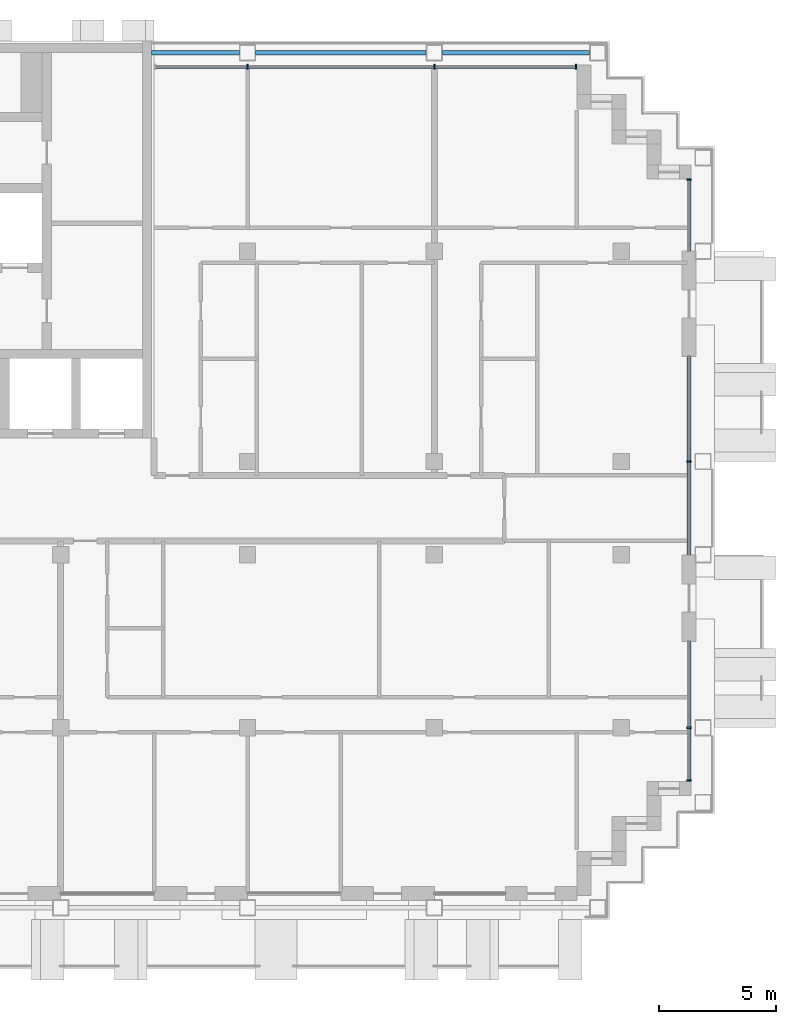
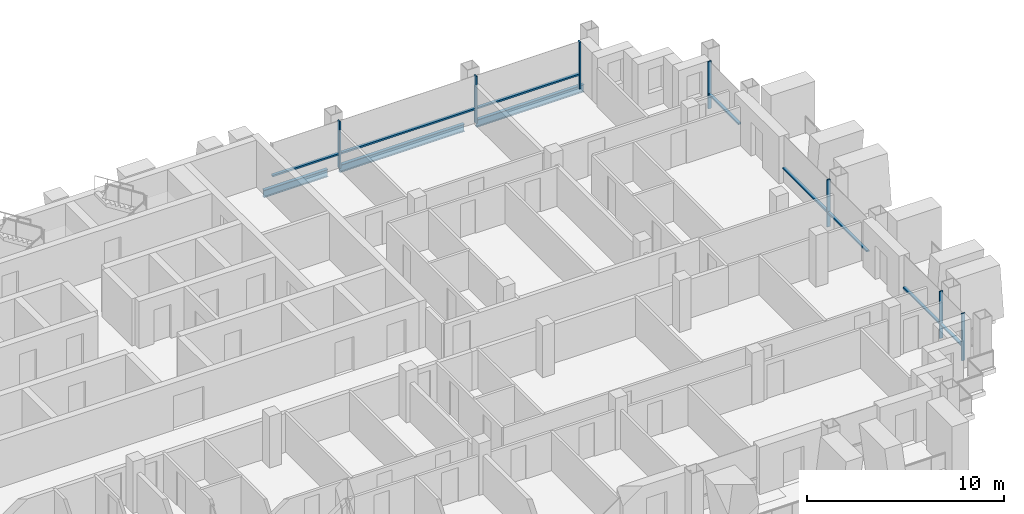
# One storey, part 5 of 16: 15 members, 3 beams, 4 elements without a shape of their own.
"""IFC4 building model written with IfcOpenShell, lengths in metres."""

from ifc_helpers import new_model, si_unit, direction, frame, origin, origin_2d, place, context, subcontext, project, spatial, rectangle, i_section, extrude, material, material_profile, profile_set, type_object, element, aggregate, save


model = new_model("IFC4")

# Units and contexts
model_context = context("Model", 3, precision=1e-05, world=origin(), true_north=direction((0.0, 1.0)))
body_context = subcontext(model_context, "Body", "Model", "MODEL_VIEW")
ifc_project = project(units=[si_unit("LENGTHUNIT", "METRE"), si_unit("AREAUNIT", "SQUARE_METRE"), si_unit("VOLUMEUNIT", "CUBIC_METRE"), si_unit("PLANEANGLEUNIT", "RADIAN"), si_unit("MASSUNIT", "GRAM", prefix="KILO")], contexts=[model_context])

# Site, building, storey
site_placement = place(None, origin())
site = spatial("IfcSite", under=ifc_project, at=site_placement, CompositionType="ELEMENT")
building_placement = place(site_placement, origin())
building = spatial("IfcBuilding", under=site, at=building_placement, Name="Vidyagriha Tower", CompositionType="ELEMENT")
storey_placement = place(building_placement, frame((0.0, 0.0, 165.300048828125)))
storey = spatial("IfcBuildingStorey", under=building, at=storey_placement, Name="L42", CompositionType="ELEMENT", Elevation=165.300048828125)

# Beams
ifc_material_1 = material(Name="Steel ASTM A992 Grade 50", Category="steel")
ifc_material_profile_1 = material_profile(ifc_material_1, i_section(OverallWidth=0.19189453125, OverallDepth=0.46240234375, WebThickness=0.010498046875, FlangeThickness=0.017578125, at=origin_2d()), Name="W18X60")
ifc_profile_set_1 = profile_set([ifc_material_profile_1], Name="Steel ASTM A992 Grade 50")
beam_type = type_object("IfcBeamType", Name="Edge beam W18X60", PredefinedType="SPANDREL", material=ifc_profile_set_1)
beam_1_placement = place(storey_placement, frame((18.35009765625, 19.5, -0.51123046875), z_axis=(1.0, 0.0, 0.0), x_axis=(0.0, 1.0, 0.0)))
element("IfcBeam", 1, at=beam_1_placement, inside=storey, type_object=beam_type, Name="st-beam-L42-NE07", PredefinedType="SPANDREL", context=body_context, shape_type="SweptSolid", body=[
    extrude(i_section(OverallWidth=0.19189453125, OverallDepth=0.46240234375, WebThickness=0.010498046875, FlangeThickness=0.017578125, at=origin_2d()), origin(), (0.0, 0.0, 1.0), 7.2998046875),
])
beam_2_placement = place(storey_placement, frame((26.35009765625, 19.5, -0.51123046875), z_axis=(1.0, 0.0, 0.0), x_axis=(0.0, 1.0, 0.0)))
element("IfcBeam", 2, at=beam_2_placement, inside=storey, type_object=beam_type, Name="st-beam-L42-NE08", PredefinedType="SPANDREL", context=body_context, shape_type="SweptSolid", body=[
    extrude(i_section(OverallWidth=0.19189453125, OverallDepth=0.46240234375, WebThickness=0.010498046875, FlangeThickness=0.017578125, at=origin_2d()), origin(), (0.0, 0.0, 1.0), 6.2998046875),
])
beam_3_placement = place(storey_placement, frame((13.89990234375, 19.5, -0.51123046875), z_axis=(1.0, 0.0, 0.0), x_axis=(0.0, 1.0, 0.0)))
element("IfcBeam", 3, at=beam_3_placement, inside=storey, type_object=beam_type, Name="st-beam-L42-NC10", PredefinedType="SPANDREL", context=body_context, shape_type="SweptSolid", body=[
    extrude(i_section(OverallWidth=0.19189453125, OverallDepth=0.46240234375, WebThickness=0.010498046875, FlangeThickness=0.017578125, at=origin_2d()), origin(), (0.0, 0.0, 1.0), 3.75),
])

# Curtain wall, members
ifc_material_2 = material(Name="Aluminium and glass curtain wall", Category="aluminium")
curtain_wall_type = type_object("IfcCurtainWallType", Name="Dwelling skin unitised curtain wall", PredefinedType="USERDEFINED", material=ifc_material_2)
curtain_wall_1_placement = place(storey_placement, origin())
curtain_wall_1 = element("IfcCurtainWall", 4, at=curtain_wall_1_placement, inside=storey, type_object=curtain_wall_type, Name="CW1 dwelling skin", ObjectType="UNITISED", PredefinedType="USERDEFINED")
ifc_material_3 = material(Name="Aluminium black anodised", Category="aluminium")
ifc_material_profile_2 = material_profile(ifc_material_3, rectangle(XDim=0.199951171875, YDim=0.070068359375, at=origin_2d()), Name="Mullion 70x200 black aluminium")
ifc_profile_set_2 = profile_set([ifc_material_profile_2], Name="Aluminium black anodised")
member_type_1 = type_object("IfcMemberType", Name="Mullion 70x200 black aluminium", PredefinedType="MULLION", material=ifc_profile_set_2)
member_1_placement = place(storey_placement, frame((32.06494140625, 18.89990234375, 0.0), z_axis=(0.0, 0.0, 1.0), x_axis=(0.0, -1.0, 0.0)))
member_1 = element("IfcMember", 5, at=member_1_placement, type_object=member_type_1, Name="CW1 mullion 1", PredefinedType="MULLION", context=body_context, shape_type="SweptSolid", body=[
    extrude(rectangle(XDim=0.199951171875, YDim=0.070068359375, at=origin_2d()), origin(), (0.0, 0.0, 1.0), 2.919921875),
])
member_2_placement = place(storey_placement, frame((26.0, 18.89990234375, 0.0), z_axis=(0.0, 0.0, 1.0), x_axis=(0.0, -1.0, 0.0)))
member_2 = element("IfcMember", 6, at=member_2_placement, type_object=member_type_1, Name="CW1 mullion 2", PredefinedType="MULLION", context=body_context, shape_type="SweptSolid", body=[
    extrude(rectangle(XDim=0.199951171875, YDim=0.070068359375, at=origin_2d()), origin(), (0.0, 0.0, 1.0), 2.919921875),
])
member_3_placement = place(storey_placement, frame((18.0, 18.89990234375, 0.0), z_axis=(0.0, 0.0, 1.0), x_axis=(0.0, -1.0, 0.0)))
member_3 = element("IfcMember", 7, at=member_3_placement, type_object=member_type_1, Name="CW1 mullion 3", PredefinedType="MULLION", context=body_context, shape_type="SweptSolid", body=[
    extrude(rectangle(XDim=0.199951171875, YDim=0.070068359375, at=origin_2d()), origin(), (0.0, 0.0, 1.0), 2.919921875),
])

curtain_wall_2_placement = place(storey_placement, origin())
curtain_wall_2 = element("IfcCurtainWall", 8, at=curtain_wall_2_placement, inside=storey, type_object=curtain_wall_type, Name="CW1 dwelling skin", ObjectType="UNITISED", PredefinedType="USERDEFINED")
member_4_placement = place(storey_placement, frame((36.89990234375, -11.6650390625, 0.0), z_axis=(0.0, 0.0, 1.0), x_axis=(-1.0, 0.0, 0.0)))
member_4 = element("IfcMember", 9, at=member_4_placement, type_object=member_type_1, Name="CW1 mullion 1", PredefinedType="MULLION", context=body_context, shape_type="SweptSolid", body=[
    extrude(rectangle(XDim=0.199951171875, YDim=0.070068359375, at=origin_2d()), origin(), (0.0, 0.0, 1.0), 2.919921875),
])
member_5_placement = place(storey_placement, frame((36.89990234375, -9.39990234375, 0.0), z_axis=(0.0, 0.0, 1.0), x_axis=(-1.0, 0.0, 0.0)))
member_5 = element("IfcMember", 10, at=member_5_placement, type_object=member_type_1, Name="CW1 mullion 2", PredefinedType="MULLION", context=body_context, shape_type="SweptSolid", body=[
    extrude(rectangle(XDim=0.199951171875, YDim=0.070068359375, at=origin_2d()), origin(), (0.0, 0.0, 1.0), 2.919921875),
])

# Curtain wall, member
curtain_wall_3_placement = place(storey_placement, origin())
curtain_wall_3 = element("IfcCurtainWall", 11, at=curtain_wall_3_placement, inside=storey, type_object=curtain_wall_type, Name="CW1 dwelling skin", ObjectType="UNITISED", PredefinedType="USERDEFINED")
member_6_placement = place(storey_placement, frame((36.89990234375, 2.0, 0.0), z_axis=(0.0, 0.0, 1.0), x_axis=(-1.0, 0.0, 0.0)))
member_6 = element("IfcMember", 12, at=member_6_placement, type_object=member_type_1, Name="CW1 mullion 2", PredefinedType="MULLION", context=body_context, shape_type="SweptSolid", body=[
    extrude(rectangle(XDim=0.199951171875, YDim=0.070068359375, at=origin_2d()), origin(), (0.0, 0.0, 1.0), 2.919921875),
])

curtain_wall_4_placement = place(storey_placement, origin())
curtain_wall_4 = element("IfcCurtainWall", 13, at=curtain_wall_4_placement, inside=storey, type_object=curtain_wall_type, Name="CW1 dwelling skin", ObjectType="UNITISED", PredefinedType="USERDEFINED")
member_7_placement = place(storey_placement, frame((36.89990234375, 14.06494140625, 0.0), z_axis=(0.0, 0.0, 1.0), x_axis=(-1.0, 0.0, 0.0)))
member_7 = element("IfcMember", 14, at=member_7_placement, type_object=member_type_1, Name="CW1 mullion 2", PredefinedType="MULLION", context=body_context, shape_type="SweptSolid", body=[
    extrude(rectangle(XDim=0.199951171875, YDim=0.070068359375, at=origin_2d()), origin(), (0.0, 0.0, 1.0), 2.919921875),
])

# Member
ifc_material_4 = material(Name="Aluminium black anodised", Category="aluminium")
ifc_material_profile_3 = material_profile(ifc_material_4, rectangle(XDim=0.159912109375, YDim=0.10009765625, at=origin_2d()), Name="Transom 100x160 black aluminium")
ifc_profile_set_3 = profile_set([ifc_material_profile_3], Name="Aluminium black anodised")
member_type_2 = type_object("IfcMemberType", Name="Transom 100x160 black aluminium", PredefinedType="USERDEFINED", material=ifc_profile_set_3)
member_8_placement = place(storey_placement, frame((32.030029296875, 18.89990234375, 0.89990234375), z_axis=(-1.0, 0.0, 0.0), x_axis=(0.0, -1.0, 0.0)))
member_8 = element("IfcMember", 15, at=member_8_placement, type_object=member_type_2, Name="CW1 transom 1.1", ObjectType="TRANSOM", PredefinedType="USERDEFINED", context=body_context, shape_type="SweptSolid", body=[
    extrude(rectangle(XDim=0.159912109375, YDim=0.10009765625, at=origin_2d()), origin(), (0.0, 0.0, 1.0), 5.9951171875),
])

member_9_placement = place(storey_placement, frame((25.965087890625, 18.89990234375, 0.89990234375), z_axis=(-1.0, 0.0, 0.0), x_axis=(0.0, -1.0, 0.0)))
member_9 = element("IfcMember", 16, at=member_9_placement, type_object=member_type_2, Name="CW1 transom 2.1", ObjectType="TRANSOM", PredefinedType="USERDEFINED", context=body_context, shape_type="SweptSolid", body=[
    extrude(rectangle(XDim=0.159912109375, YDim=0.10009765625, at=origin_2d()), origin(), (0.0, 0.0, 1.0), 7.93017578125),
])

member_10_placement = place(storey_placement, frame((17.965087890625, 18.89990234375, 0.89990234375), z_axis=(-1.0, 0.0, 0.0), x_axis=(0.0, -1.0, 0.0)))
member_10 = element("IfcMember", 17, at=member_10_placement, type_object=member_type_2, Name="CW1 transom 3.1", ObjectType="TRANSOM", PredefinedType="USERDEFINED", context=body_context, shape_type="SweptSolid", body=[
    extrude(rectangle(XDim=0.159912109375, YDim=0.10009765625, at=origin_2d()), origin(), (0.0, 0.0, 1.0), 3.89501953125),
])

aggregate(curtain_wall_1, [member_1, member_2, member_3, member_8, member_9, member_10])

member_11_placement = place(storey_placement, frame((36.89990234375, -11.6298828125, 0.89990234375), z_axis=(0.0, 1.0, 0.0), x_axis=(-1.0, 0.0, 0.0)))
member_11 = element("IfcMember", 18, at=member_11_placement, type_object=member_type_2, Name="CW1 transom 1.1", ObjectType="TRANSOM", PredefinedType="USERDEFINED", context=body_context, shape_type="SweptSolid", body=[
    extrude(rectangle(XDim=0.159912109375, YDim=0.10009765625, at=origin_2d()), origin(), (0.0, 0.0, 1.0), 2.19482421875),
])

member_12_placement = place(storey_placement, frame((36.89990234375, -9.364990234375, 0.89990234375), z_axis=(0.0, 1.0, 0.0), x_axis=(-1.0, 0.0, 0.0)))
member_12 = element("IfcMember", 19, at=member_12_placement, type_object=member_type_2, Name="CW1 transom 2.1", ObjectType="TRANSOM", PredefinedType="USERDEFINED", context=body_context, shape_type="SweptSolid", body=[
    extrude(rectangle(XDim=0.159912109375, YDim=0.10009765625, at=origin_2d()), origin(), (0.0, 0.0, 1.0), 3.6650390625),
])

aggregate(curtain_wall_2, [member_4, member_5, member_11, member_12])

member_13_placement = place(storey_placement, frame((36.89990234375, -2.0, 0.89990234375), z_axis=(0.0, 1.0, 0.0), x_axis=(-1.0, 0.0, 0.0)))
member_13 = element("IfcMember", 20, at=member_13_placement, type_object=member_type_2, Name="CW1 transom 1.1", ObjectType="TRANSOM", PredefinedType="USERDEFINED", context=body_context, shape_type="SweptSolid", body=[
    extrude(rectangle(XDim=0.159912109375, YDim=0.10009765625, at=origin_2d()), origin(), (0.0, 0.0, 1.0), 3.965087890625),
])

member_14_placement = place(storey_placement, frame((36.89990234375, 2.034912109375, 0.89990234375), z_axis=(0.0, 1.0, 0.0), x_axis=(-1.0, 0.0, 0.0)))
member_14 = element("IfcMember", 21, at=member_14_placement, type_object=member_type_2, Name="CW1 transom 2.1", ObjectType="TRANSOM", PredefinedType="USERDEFINED", context=body_context, shape_type="SweptSolid", body=[
    extrude(rectangle(XDim=0.159912109375, YDim=0.10009765625, at=origin_2d()), origin(), (0.0, 0.0, 1.0), 4.465087890625),
])

aggregate(curtain_wall_3, [member_6, member_13, member_14])

member_15_placement = place(storey_placement, frame((36.89990234375, 11.0, 0.89990234375), z_axis=(0.0, 1.0, 0.0), x_axis=(-1.0, 0.0, 0.0)))
member_15 = element("IfcMember", 22, at=member_15_placement, type_object=member_type_2, Name="CW1 transom 1.1", ObjectType="TRANSOM", PredefinedType="USERDEFINED", context=body_context, shape_type="SweptSolid", body=[
    extrude(rectangle(XDim=0.159912109375, YDim=0.10009765625, at=origin_2d()), origin(), (0.0, 0.0, 1.0), 3.030029296875),
])

aggregate(curtain_wall_4, [member_7, member_15])

save(model, "model.ifc")
